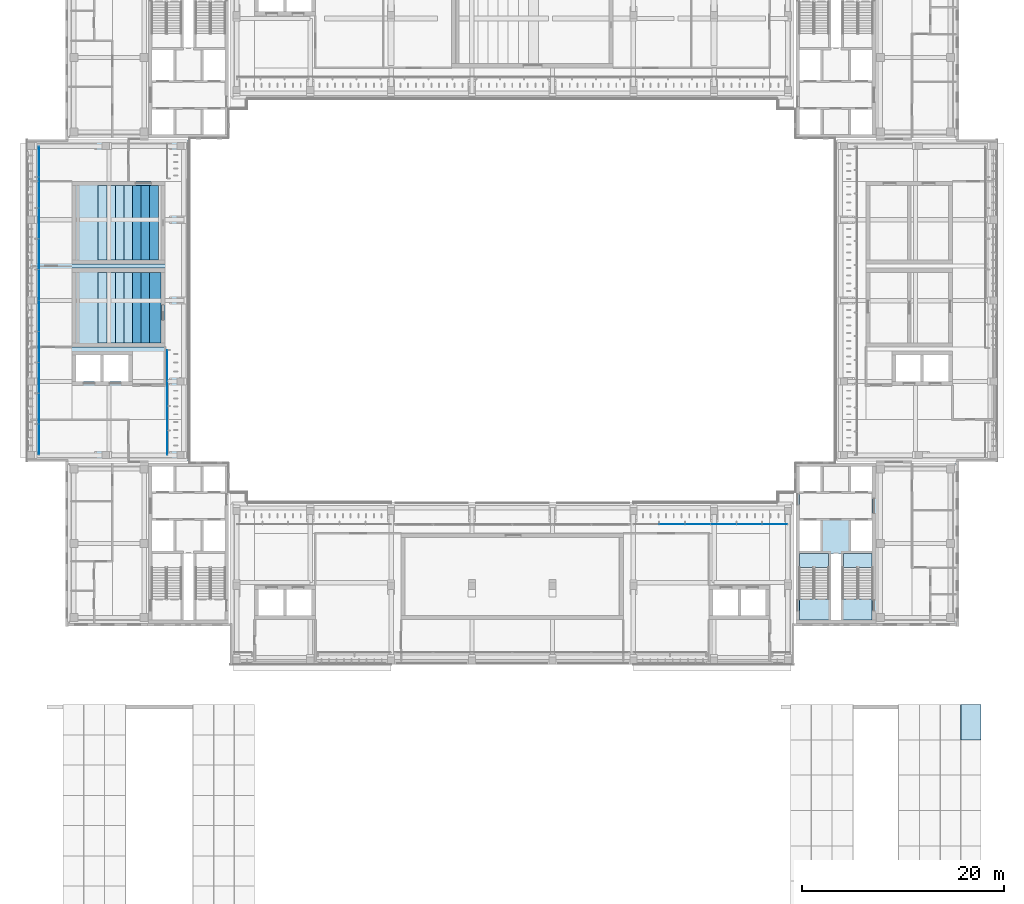
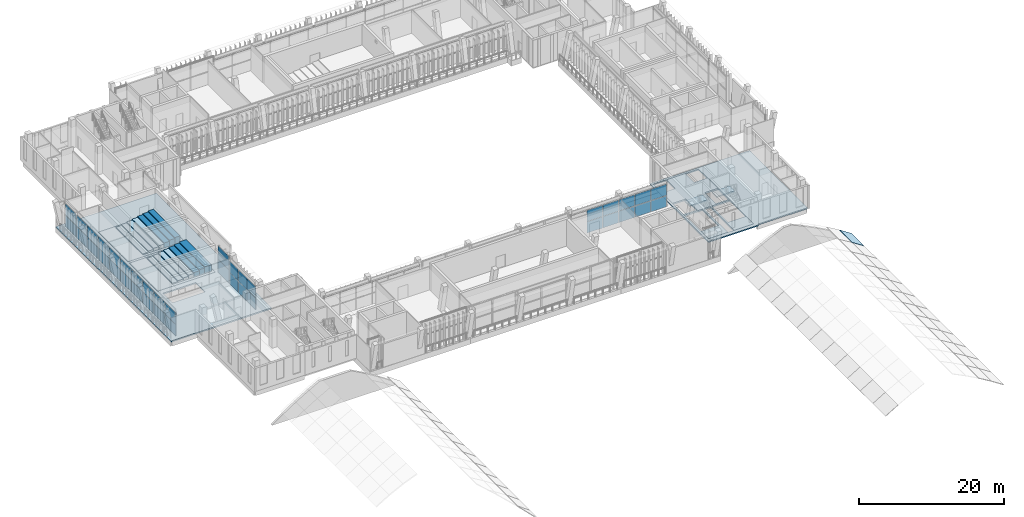
# One storey, part 38 of 74: 38 plates, 22 slabs, 6 elements without a shape of their own.
"""IFC4 building model written with IfcOpenShell, lengths in metres."""

from ifc_helpers import new_model, si_unit, direction, frame, origin, origin_2d, place, context, subcontext, project, spatial, polyline, rectangle, outline, extrude, material, layer, layer_set, type_object, element, aggregate, save


model = new_model("IFC4")

# Units and contexts
model_context = context("Model", 3, precision=1e-05, world=origin(), true_north=direction((0.0, 1.0)))
body_context = subcontext(model_context, "Body", "Model", "MODEL_VIEW")
ifc_project = project(units=[si_unit("LENGTHUNIT", "METRE"), si_unit("AREAUNIT", "SQUARE_METRE"), si_unit("VOLUMEUNIT", "CUBIC_METRE"), si_unit("PLANEANGLEUNIT", "RADIAN"), si_unit("MASSUNIT", "GRAM", prefix="KILO")], contexts=[model_context])

# Site, building, storey
site_placement = place(None, origin())
site = spatial("IfcSite", under=ifc_project, at=site_placement, CompositionType="ELEMENT")
building_placement = place(site_placement, origin())
building = spatial("IfcBuilding", under=site, at=building_placement, Name="Lantern Court Media Centre", CompositionType="ELEMENT")
storey_placement = place(building_placement, frame((0.0, 0.0, 19.199951171875)))
storey = spatial("IfcBuildingStorey", under=building, at=storey_placement, Name="L04", CompositionType="ELEMENT", Elevation=19.199951171875)

# Slab
ifc_material_1 = material(Name="Concrete C40", Category="concrete")
ifc_layer_1 = layer(ifc_material_1, 0.25)
ifc_layer_set_1 = layer_set([ifc_layer_1], Name="Concrete C40")
slab_type_1 = type_object("IfcSlabType", Name="Core floor slab 250", PredefinedType="FLOOR", material=ifc_layer_set_1)
slab_1_placement = place(storey_placement, frame((0.0, 0.0, -0.25)))
element("IfcSlab", 1, at=slab_1_placement, inside=storey, type_object=slab_type_1, Name="L04 SE core floor", PredefinedType="FLOOR", context=body_context, shape_type="SweptSolid", body=[
    extrude(outline(polyline([(87.64990234375, 55.199951171875), (87.64990234375, 54.94970703125), (84.80029296875, 54.94970703125), (84.80029296875, 50.450439453125), (87.64990234375, 50.450439453125), (87.64990234375, 48.35009765625), (84.550048828125, 48.35009765625), (84.550048828125, 54.949951171875), (83.550048828125, 54.949951171875), (83.550048828125, 48.35009765625), (80.449951171875, 48.35009765625), (80.449951171875, 50.450439453125), (83.299560546875, 50.450439453125), (83.299560546875, 54.94970703125), (80.449951171875, 54.94970703125), (80.449951171875, 55.199951171875), (82.550048828125, 55.199951171875), (82.550048828125, 58.199951171875), (80.449951171875, 58.199951171875), (80.449951171875, 61.10009765625), (82.550048828125, 61.10009765625), (82.550048828125, 63.550048828125), (85.550048828125, 63.550048828125), (85.550048828125, 61.10009765625), (87.64990234375, 61.10009765625), (87.64990234375, 58.199951171875), (85.550048828125, 58.199951171875), (85.550048828125, 55.199951171875), (87.64990234375, 55.199951171875)])), origin(), (0.0, 0.0, 1.0), 0.25),
])

# Curtain wall, plates
ifc_material_2 = material(Name="Curtain wall bay 2400")
curtain_wall_type_1 = type_object("IfcCurtainWallType", Name="Curtain wall bay 2400", PredefinedType="NOTDEFINED", material=ifc_material_2)
curtain_wall_1_placement = place(storey_placement, origin())
curtain_wall_1 = element("IfcCurtainWall", 2, at=curtain_wall_1_placement, inside=storey, type_object=curtain_wall_type_1, Name="Curtain wall S inner L04", PredefinedType="NOTDEFINED")
ifc_material_3 = material(Name="Low-iron double glazed unit glass", Category="glass")
ifc_layer_2 = layer(ifc_material_3, 0.02392578125)
ifc_layer_set_2 = layer_set([ifc_layer_2], Name="Low-iron double glazed unit glass")
plate_type_1 = type_object("IfcPlateType", Name="Curtain wall glazing unit 24", PredefinedType="CURTAIN_PANEL", material=ifc_layer_set_2)
plate_1_placement = place(storey_placement, frame((67.824951171875, 57.85009765625, 0.050048828125), z_axis=(0.0, 0.0, 1.0), x_axis=(1.0, 0.0, 0.0)))
plate_1 = element("IfcPlate", 3, at=plate_1_placement, type_object=plate_type_1, Name="CW2 panel 2.1", PredefinedType="CURTAIN_PANEL", context=body_context, shape_type="SweptSolid", body=[
    extrude(rectangle(XDim=2.5, YDim=0.02392578125, at=origin_2d()), origin(), (0.0, 0.0, 1.0), 1.89990234375),
])
plate_2_placement = place(storey_placement, frame((67.824951171875, 57.85009765625, 2.0), z_axis=(0.0, 0.0, 1.0), x_axis=(1.0, 0.0, 0.0)))
plate_2 = element("IfcPlate", 4, at=plate_2_placement, type_object=plate_type_1, Name="CW2 panel 2.2", PredefinedType="CURTAIN_PANEL", context=body_context, shape_type="SweptSolid", body=[
    extrude(rectangle(XDim=2.5, YDim=0.02392578125, at=origin_2d()), origin(), (0.0, 0.0, 1.0), 1.89990234375),
])
plate_3_placement = place(storey_placement, frame((70.375, 57.85009765625, 0.050048828125), z_axis=(0.0, 0.0, 1.0), x_axis=(1.0, 0.0, 0.0)))
plate_3 = element("IfcPlate", 5, at=plate_3_placement, type_object=plate_type_1, Name="CW2 panel 3.1", PredefinedType="CURTAIN_PANEL", context=body_context, shape_type="SweptSolid", body=[
    extrude(rectangle(XDim=2.5, YDim=0.02392578125, at=origin_2d()), origin(), (0.0, 0.0, 1.0), 1.89990234375),
])
plate_4_placement = place(storey_placement, frame((70.375, 57.85009765625, 2.0), z_axis=(0.0, 0.0, 1.0), x_axis=(1.0, 0.0, 0.0)))
plate_4 = element("IfcPlate", 6, at=plate_4_placement, type_object=plate_type_1, Name="CW2 panel 3.2", PredefinedType="CURTAIN_PANEL", context=body_context, shape_type="SweptSolid", body=[
    extrude(rectangle(XDim=2.5, YDim=0.02392578125, at=origin_2d()), origin(), (0.0, 0.0, 1.0), 1.89990234375),
])
plate_5_placement = place(storey_placement, frame((72.925048828125, 57.85009765625, 0.050048828125), z_axis=(0.0, 0.0, 1.0), x_axis=(1.0, 0.0, 0.0)))
plate_5 = element("IfcPlate", 7, at=plate_5_placement, type_object=plate_type_1, Name="CW2 panel 4.1", PredefinedType="CURTAIN_PANEL", context=body_context, shape_type="SweptSolid", body=[
    extrude(rectangle(XDim=2.5, YDim=0.02392578125, at=origin_2d()), origin(), (0.0, 0.0, 1.0), 1.89990234375),
])
plate_6_placement = place(storey_placement, frame((72.925048828125, 57.85009765625, 2.0), z_axis=(0.0, 0.0, 1.0), x_axis=(1.0, 0.0, 0.0)))
plate_6 = element("IfcPlate", 8, at=plate_6_placement, type_object=plate_type_1, Name="CW2 panel 4.2", PredefinedType="CURTAIN_PANEL", context=body_context, shape_type="SweptSolid", body=[
    extrude(rectangle(XDim=2.5, YDim=0.02392578125, at=origin_2d()), origin(), (0.0, 0.0, 1.0), 1.89990234375),
])
plate_7_placement = place(storey_placement, frame((75.47509765625, 57.85009765625, 0.050048828125), z_axis=(0.0, 0.0, 1.0), x_axis=(1.0, 0.0, 0.0)))
plate_7 = element("IfcPlate", 9, at=plate_7_placement, type_object=plate_type_1, Name="CW2 panel 5.1", PredefinedType="CURTAIN_PANEL", context=body_context, shape_type="SweptSolid", body=[
    extrude(rectangle(XDim=2.5, YDim=0.02392578125, at=origin_2d()), origin(), (0.0, 0.0, 1.0), 1.89990234375),
])
plate_8_placement = place(storey_placement, frame((75.47509765625, 57.85009765625, 2.0), z_axis=(0.0, 0.0, 1.0), x_axis=(1.0, 0.0, 0.0)))
plate_8 = element("IfcPlate", 10, at=plate_8_placement, type_object=plate_type_1, Name="CW2 panel 5.2", PredefinedType="CURTAIN_PANEL", context=body_context, shape_type="SweptSolid", body=[
    extrude(rectangle(XDim=2.5, YDim=0.02392578125, at=origin_2d()), origin(), (0.0, 0.0, 1.0), 1.89990234375),
])
plate_9_placement = place(storey_placement, frame((78.012451171875, 57.85009765625, 0.050048828125), z_axis=(0.0, 0.0, 1.0), x_axis=(1.0, 0.0, 0.0)))
plate_9 = element("IfcPlate", 11, at=plate_9_placement, type_object=plate_type_1, Name="CW2 panel 6.1", PredefinedType="CURTAIN_PANEL", context=body_context, shape_type="SweptSolid", body=[
    extrude(rectangle(XDim=2.47509765625, YDim=0.02392578125, at=origin_2d()), origin(), (0.0, 0.0, 1.0), 1.89990234375),
])
plate_10_placement = place(storey_placement, frame((78.012451171875, 57.85009765625, 2.0), z_axis=(0.0, 0.0, 1.0), x_axis=(1.0, 0.0, 0.0)))
plate_10 = element("IfcPlate", 12, at=plate_10_placement, type_object=plate_type_1, Name="CW2 panel 6.2", PredefinedType="CURTAIN_PANEL", context=body_context, shape_type="SweptSolid", body=[
    extrude(rectangle(XDim=2.47509765625, YDim=0.02392578125, at=origin_2d()), origin(), (0.0, 0.0, 1.0), 1.89990234375),
])
aggregate(curtain_wall_1, [plate_1, plate_2, plate_3, plate_4, plate_5, plate_6, plate_7, plate_8, plate_9, plate_10])

curtain_wall_2_placement = place(storey_placement, origin())
curtain_wall_2 = element("IfcCurtainWall", 13, at=curtain_wall_2_placement, inside=storey, type_object=curtain_wall_type_1, Name="Curtain wall W inner L04", PredefinedType="NOTDEFINED")
plate_11_placement = place(storey_placement, frame((17.85009765625, 65.92919921875, 0.050048828125), z_axis=(0.0, 0.0, 1.0), x_axis=(0.0, 1.0, 0.0)))
plate_11 = element("IfcPlate", 14, at=plate_11_placement, type_object=plate_type_1, Name="CW2 panel 1.1", PredefinedType="CURTAIN_PANEL", context=body_context, shape_type="SweptSolid", body=[
    extrude(rectangle(XDim=2.3583984375, YDim=0.02392578125, at=origin_2d()), origin(), (0.0, 0.0, 1.0), 1.89990234375),
])
plate_12_placement = place(storey_placement, frame((17.85009765625, 65.92919921875, 2.0), z_axis=(0.0, 0.0, 1.0), x_axis=(0.0, 1.0, 0.0)))
plate_12 = element("IfcPlate", 15, at=plate_12_placement, type_object=plate_type_1, Name="CW2 panel 1.2", PredefinedType="CURTAIN_PANEL", context=body_context, shape_type="SweptSolid", body=[
    extrude(rectangle(XDim=2.3583984375, YDim=0.02392578125, at=origin_2d()), origin(), (0.0, 0.0, 1.0), 1.89990234375),
])
plate_13_placement = place(storey_placement, frame((17.85009765625, 68.35009765625, 0.050048828125), z_axis=(0.0, 0.0, 1.0), x_axis=(0.0, 1.0, 0.0)))
plate_13 = element("IfcPlate", 16, at=plate_13_placement, type_object=plate_type_1, Name="CW2 panel 2.1", PredefinedType="CURTAIN_PANEL", context=body_context, shape_type="SweptSolid", body=[
    extrude(rectangle(XDim=2.38330078125, YDim=0.02392578125, at=origin_2d()), origin(), (0.0, 0.0, 1.0), 1.89990234375),
])
plate_14_placement = place(storey_placement, frame((17.85009765625, 68.35009765625, 2.0), z_axis=(0.0, 0.0, 1.0), x_axis=(0.0, 1.0, 0.0)))
plate_14 = element("IfcPlate", 17, at=plate_14_placement, type_object=plate_type_1, Name="CW2 panel 2.2", PredefinedType="CURTAIN_PANEL", context=body_context, shape_type="SweptSolid", body=[
    extrude(rectangle(XDim=2.38330078125, YDim=0.02392578125, at=origin_2d()), origin(), (0.0, 0.0, 1.0), 1.89990234375),
])
plate_15_placement = place(storey_placement, frame((17.85009765625, 70.770751953125, 0.050048828125), z_axis=(0.0, 0.0, 1.0), x_axis=(0.0, 1.0, 0.0)))
plate_15 = element("IfcPlate", 18, at=plate_15_placement, type_object=plate_type_1, Name="CW2 panel 3.1", PredefinedType="CURTAIN_PANEL", context=body_context, shape_type="SweptSolid", body=[
    extrude(rectangle(XDim=2.3583984375, YDim=0.02392578125, at=origin_2d()), origin(), (0.0, 0.0, 1.0), 1.89990234375),
])
plate_16_placement = place(storey_placement, frame((17.85009765625, 70.770751953125, 2.0), z_axis=(0.0, 0.0, 1.0), x_axis=(0.0, 1.0, 0.0)))
plate_16 = element("IfcPlate", 19, at=plate_16_placement, type_object=plate_type_1, Name="CW2 panel 3.2", PredefinedType="CURTAIN_PANEL", context=body_context, shape_type="SweptSolid", body=[
    extrude(rectangle(XDim=2.3583984375, YDim=0.02392578125, at=origin_2d()), origin(), (0.0, 0.0, 1.0), 1.89990234375),
])
aggregate(curtain_wall_2, [plate_11, plate_12, plate_13, plate_14, plate_15, plate_16])

curtain_wall_3_placement = place(storey_placement, origin())
curtain_wall_3 = element("IfcCurtainWall", 20, at=curtain_wall_3_placement, inside=storey, type_object=curtain_wall_type_1, Name="Curtain wall W inner L04", PredefinedType="NOTDEFINED")
plate_17_placement = place(storey_placement, frame((17.85009765625, 73.574951171875, 0.0498046875), z_axis=(0.0, 0.0, 1.0), x_axis=(0.0, 1.0, 0.0)))
plate_17 = element("IfcPlate", 21, at=plate_17_placement, type_object=plate_type_1, Name="CW2 panel 1.1", PredefinedType="CURTAIN_PANEL", context=body_context, shape_type="SweptSolid", body=[
    extrude(rectangle(XDim=3.050048828125, YDim=0.02392578125, at=origin_2d()), origin(), (0.0, 0.0, 1.0), 2.215087890625),
])
plate_18_placement = place(storey_placement, frame((17.85009765625, 73.574951171875, 2.31494140625), z_axis=(0.0, 0.0, 1.0), x_axis=(0.0, 1.0, 0.0)))
plate_18 = element("IfcPlate", 22, at=plate_18_placement, type_object=plate_type_1, Name="CW2 panel 1.2", PredefinedType="CURTAIN_PANEL", context=body_context, shape_type="SweptSolid", body=[
    extrude(rectangle(XDim=3.050048828125, YDim=0.02392578125, at=origin_2d()), origin(), (0.0, 0.0, 1.0), 2.215087890625),
])
aggregate(curtain_wall_3, [plate_17, plate_18])

ifc_material_4 = material(Name="Curtain wall bay 3000")
curtain_wall_type_2 = type_object("IfcCurtainWallType", Name="Curtain wall bay 3000", PredefinedType="NOTDEFINED", material=ifc_material_4)
curtain_wall_4_placement = place(storey_placement, origin())
curtain_wall_4 = element("IfcCurtainWall", 23, at=curtain_wall_4_placement, inside=storey, type_object=curtain_wall_type_2, Name="Curtain wall W outer L04", PredefinedType="NOTDEFINED")
ifc_layer_3 = layer(ifc_material_3, 0.028076171875)
ifc_layer_set_3 = layer_set([ifc_layer_3], Name="Low-iron double glazed unit glass")
plate_type_2 = type_object("IfcPlateType", Name="Curtain wall glazing unit 28", PredefinedType="CURTAIN_PANEL", material=ifc_layer_set_3)
plate_19_placement = place(storey_placement, frame((5.14990234375, 66.2451171875, 0.06005859375), z_axis=(0.0, 0.0, 1.0), x_axis=(0.0, 1.0, 0.0)))
plate_19 = element("IfcPlate", 24, at=plate_19_placement, type_object=plate_type_2, Name="CW1 panel 1.1", PredefinedType="CURTAIN_PANEL", context=body_context, shape_type="SweptSolid", body=[
    extrude(rectangle(XDim=2.969970703125, YDim=0.028076171875, at=origin_2d()), origin(), (0.0, 0.0, 1.0), 1.885009765625),
])
plate_20_placement = place(storey_placement, frame((5.14990234375, 66.2451171875, 2.0048828125), z_axis=(0.0, 0.0, 1.0), x_axis=(0.0, 1.0, 0.0)))
plate_20 = element("IfcPlate", 25, at=plate_20_placement, type_object=plate_type_2, Name="CW1 panel 1.2", PredefinedType="CURTAIN_PANEL", context=body_context, shape_type="SweptSolid", body=[
    extrude(rectangle(XDim=2.969970703125, YDim=0.028076171875, at=origin_2d()), origin(), (0.0, 0.0, 1.0), 1.885009765625),
])
plate_21_placement = place(storey_placement, frame((5.14990234375, 69.2900390625, 0.06005859375), z_axis=(0.0, 0.0, 1.0), x_axis=(0.0, 1.0, 0.0)))
plate_21 = element("IfcPlate", 26, at=plate_21_placement, type_object=plate_type_2, Name="CW1 panel 2.1", PredefinedType="CURTAIN_PANEL", context=body_context, shape_type="SweptSolid", body=[
    extrude(rectangle(XDim=3.0, YDim=0.028076171875, at=origin_2d()), origin(), (0.0, 0.0, 1.0), 1.885009765625),
])
plate_22_placement = place(storey_placement, frame((5.14990234375, 69.2900390625, 2.0048828125), z_axis=(0.0, 0.0, 1.0), x_axis=(0.0, 1.0, 0.0)))
plate_22 = element("IfcPlate", 27, at=plate_22_placement, type_object=plate_type_2, Name="CW1 panel 2.2", PredefinedType="CURTAIN_PANEL", context=body_context, shape_type="SweptSolid", body=[
    extrude(rectangle(XDim=3.0, YDim=0.028076171875, at=origin_2d()), origin(), (0.0, 0.0, 1.0), 1.885009765625),
])
plate_23_placement = place(storey_placement, frame((5.14990234375, 72.35009765625, 0.06005859375), z_axis=(0.0, 0.0, 1.0), x_axis=(0.0, 1.0, 0.0)))
plate_23 = element("IfcPlate", 28, at=plate_23_placement, type_object=plate_type_2, Name="CW1 panel 3.1", PredefinedType="CURTAIN_PANEL", context=body_context, shape_type="SweptSolid", body=[
    extrude(rectangle(XDim=3.0, YDim=0.028076171875, at=origin_2d()), origin(), (0.0, 0.0, 1.0), 1.885009765625),
])
plate_24_placement = place(storey_placement, frame((5.14990234375, 72.35009765625, 2.0048828125), z_axis=(0.0, 0.0, 1.0), x_axis=(0.0, 1.0, 0.0)))
plate_24 = element("IfcPlate", 29, at=plate_24_placement, type_object=plate_type_2, Name="CW1 panel 3.2", PredefinedType="CURTAIN_PANEL", context=body_context, shape_type="SweptSolid", body=[
    extrude(rectangle(XDim=3.0, YDim=0.028076171875, at=origin_2d()), origin(), (0.0, 0.0, 1.0), 1.885009765625),
])
plate_25_placement = place(storey_placement, frame((5.14990234375, 75.409912109375, 0.06005859375), z_axis=(0.0, 0.0, 1.0), x_axis=(0.0, 1.0, 0.0)))
plate_25 = element("IfcPlate", 30, at=plate_25_placement, type_object=plate_type_2, Name="CW1 panel 4.1", PredefinedType="CURTAIN_PANEL", context=body_context, shape_type="SweptSolid", body=[
    extrude(rectangle(XDim=3.0, YDim=0.028076171875, at=origin_2d()), origin(), (0.0, 0.0, 1.0), 1.885009765625),
])
plate_26_placement = place(storey_placement, frame((5.14990234375, 75.409912109375, 2.0048828125), z_axis=(0.0, 0.0, 1.0), x_axis=(0.0, 1.0, 0.0)))
plate_26 = element("IfcPlate", 31, at=plate_26_placement, type_object=plate_type_2, Name="CW1 panel 4.2", PredefinedType="CURTAIN_PANEL", context=body_context, shape_type="SweptSolid", body=[
    extrude(rectangle(XDim=3.0, YDim=0.028076171875, at=origin_2d()), origin(), (0.0, 0.0, 1.0), 1.885009765625),
])
plate_27_placement = place(storey_placement, frame((5.14990234375, 78.469970703125, 0.06005859375), z_axis=(0.0, 0.0, 1.0), x_axis=(0.0, 1.0, 0.0)))
plate_27 = element("IfcPlate", 32, at=plate_27_placement, type_object=plate_type_2, Name="CW1 panel 5.1", PredefinedType="CURTAIN_PANEL", context=body_context, shape_type="SweptSolid", body=[
    extrude(rectangle(XDim=3.0, YDim=0.028076171875, at=origin_2d()), origin(), (0.0, 0.0, 1.0), 1.885009765625),
])
plate_28_placement = place(storey_placement, frame((5.14990234375, 78.469970703125, 2.0048828125), z_axis=(0.0, 0.0, 1.0), x_axis=(0.0, 1.0, 0.0)))
plate_28 = element("IfcPlate", 33, at=plate_28_placement, type_object=plate_type_2, Name="CW1 panel 5.2", PredefinedType="CURTAIN_PANEL", context=body_context, shape_type="SweptSolid", body=[
    extrude(rectangle(XDim=3.0, YDim=0.028076171875, at=origin_2d()), origin(), (0.0, 0.0, 1.0), 1.885009765625),
])
plate_29_placement = place(storey_placement, frame((5.14990234375, 81.530029296875, 0.06005859375), z_axis=(0.0, 0.0, 1.0), x_axis=(0.0, 1.0, 0.0)))
plate_29 = element("IfcPlate", 34, at=plate_29_placement, type_object=plate_type_2, Name="CW1 panel 6.1", PredefinedType="CURTAIN_PANEL", context=body_context, shape_type="SweptSolid", body=[
    extrude(rectangle(XDim=3.0, YDim=0.028076171875, at=origin_2d()), origin(), (0.0, 0.0, 1.0), 1.885009765625),
])
plate_30_placement = place(storey_placement, frame((5.14990234375, 81.530029296875, 2.0048828125), z_axis=(0.0, 0.0, 1.0), x_axis=(0.0, 1.0, 0.0)))
plate_30 = element("IfcPlate", 35, at=plate_30_placement, type_object=plate_type_2, Name="CW1 panel 6.2", PredefinedType="CURTAIN_PANEL", context=body_context, shape_type="SweptSolid", body=[
    extrude(rectangle(XDim=3.0, YDim=0.028076171875, at=origin_2d()), origin(), (0.0, 0.0, 1.0), 1.885009765625),
])
plate_31_placement = place(storey_placement, frame((5.14990234375, 84.590087890625, 0.06005859375), z_axis=(0.0, 0.0, 1.0), x_axis=(0.0, 1.0, 0.0)))
plate_31 = element("IfcPlate", 36, at=plate_31_placement, type_object=plate_type_2, Name="CW1 panel 7.1", PredefinedType="CURTAIN_PANEL", context=body_context, shape_type="SweptSolid", body=[
    extrude(rectangle(XDim=3.0, YDim=0.028076171875, at=origin_2d()), origin(), (0.0, 0.0, 1.0), 1.885009765625),
])
plate_32_placement = place(storey_placement, frame((5.14990234375, 84.590087890625, 2.0048828125), z_axis=(0.0, 0.0, 1.0), x_axis=(0.0, 1.0, 0.0)))
plate_32 = element("IfcPlate", 37, at=plate_32_placement, type_object=plate_type_2, Name="CW1 panel 7.2", PredefinedType="CURTAIN_PANEL", context=body_context, shape_type="SweptSolid", body=[
    extrude(rectangle(XDim=3.0, YDim=0.028076171875, at=origin_2d()), origin(), (0.0, 0.0, 1.0), 1.885009765625),
])
plate_33_placement = place(storey_placement, frame((5.14990234375, 87.64990234375, 0.06005859375), z_axis=(0.0, 0.0, 1.0), x_axis=(0.0, 1.0, 0.0)))
plate_33 = element("IfcPlate", 38, at=plate_33_placement, type_object=plate_type_2, Name="CW1 panel 8.1", PredefinedType="CURTAIN_PANEL", context=body_context, shape_type="SweptSolid", body=[
    extrude(rectangle(XDim=3.0, YDim=0.028076171875, at=origin_2d()), origin(), (0.0, 0.0, 1.0), 1.885009765625),
])
plate_34_placement = place(storey_placement, frame((5.14990234375, 87.64990234375, 2.0048828125), z_axis=(0.0, 0.0, 1.0), x_axis=(0.0, 1.0, 0.0)))
plate_34 = element("IfcPlate", 39, at=plate_34_placement, type_object=plate_type_2, Name="CW1 panel 8.2", PredefinedType="CURTAIN_PANEL", context=body_context, shape_type="SweptSolid", body=[
    extrude(rectangle(XDim=3.0, YDim=0.028076171875, at=origin_2d()), origin(), (0.0, 0.0, 1.0), 1.885009765625),
])
plate_35_placement = place(storey_placement, frame((5.14990234375, 90.7099609375, 0.06005859375), z_axis=(0.0, 0.0, 1.0), x_axis=(0.0, 1.0, 0.0)))
plate_35 = element("IfcPlate", 40, at=plate_35_placement, type_object=plate_type_2, Name="CW1 panel 9.1", PredefinedType="CURTAIN_PANEL", context=body_context, shape_type="SweptSolid", body=[
    extrude(rectangle(XDim=3.0, YDim=0.028076171875, at=origin_2d()), origin(), (0.0, 0.0, 1.0), 1.885009765625),
])
plate_36_placement = place(storey_placement, frame((5.14990234375, 90.7099609375, 2.0048828125), z_axis=(0.0, 0.0, 1.0), x_axis=(0.0, 1.0, 0.0)))
plate_36 = element("IfcPlate", 41, at=plate_36_placement, type_object=plate_type_2, Name="CW1 panel 9.2", PredefinedType="CURTAIN_PANEL", context=body_context, shape_type="SweptSolid", body=[
    extrude(rectangle(XDim=3.0, YDim=0.028076171875, at=origin_2d()), origin(), (0.0, 0.0, 1.0), 1.885009765625),
])
plate_37_placement = place(storey_placement, frame((5.14990234375, 93.7548828125, 0.06005859375), z_axis=(0.0, 0.0, 1.0), x_axis=(0.0, 1.0, 0.0)))
plate_37 = element("IfcPlate", 42, at=plate_37_placement, type_object=plate_type_2, Name="CW1 panel 10.1", PredefinedType="CURTAIN_PANEL", context=body_context, shape_type="SweptSolid", body=[
    extrude(rectangle(XDim=2.969970703125, YDim=0.028076171875, at=origin_2d()), origin(), (0.0, 0.0, 1.0), 1.885009765625),
])
plate_38_placement = place(storey_placement, frame((5.14990234375, 93.7548828125, 2.0048828125), z_axis=(0.0, 0.0, 1.0), x_axis=(0.0, 1.0, 0.0)))
plate_38 = element("IfcPlate", 43, at=plate_38_placement, type_object=plate_type_2, Name="CW1 panel 10.2", PredefinedType="CURTAIN_PANEL", context=body_context, shape_type="SweptSolid", body=[
    extrude(rectangle(XDim=2.969970703125, YDim=0.028076171875, at=origin_2d()), origin(), (0.0, 0.0, 1.0), 1.885009765625),
])
aggregate(curtain_wall_4, [plate_19, plate_20, plate_21, plate_22, plate_23, plate_24, plate_25, plate_26, plate_27, plate_28, plate_29, plate_30, plate_31, plate_32, plate_33, plate_34, plate_35, plate_36, plate_37, plate_38])

# Slabs
ifc_material_5 = material(Name="Zinc standing seam on insulation")
ifc_layer_4 = layer(ifc_material_5, 0.10009765625)
ifc_layer_set_4 = layer_set([ifc_layer_4], Name="Zinc standing seam on insulation")
slab_type_2 = type_object("IfcSlabType", Name="Hall roof panel, standing seam 100", PredefinedType="ROOF", material=ifc_layer_set_4)
slab_2_placement = place(storey_placement, frame((96.452392578125, 36.5, 0.985107421875), z_axis=(0.546639605859, 0.0, 0.837367984405), x_axis=(0.837367984405, 0.0, -0.546639605859)))
element("IfcSlab", 44, at=slab_2_placement, inside=storey, type_object=slab_type_2, Name="Studio Hall roof panel", PredefinedType="ROOF", context=body_context, shape_type="SweptSolid", body=[
    extrude(outline(polyline([(0.0, 0.0), (2.3630707197757923, 0.0), (2.3630707197757923, 3.4999999999999996), (0.0, 3.4999999999999996), (0.0, 0.0)])), origin(), (0.0, 0.0, -1.0), 0.10009765625),
])
ifc_material_6 = material(Name="Concrete C35", Category="concrete")
ifc_layer_5 = layer(ifc_material_6, 0.199951171875)
ifc_layer_set_5 = layer_set([ifc_layer_5], Name="Concrete C35")
slab_type_3 = type_object("IfcSlabType", Name="RC FLOOR SLAB 200", PredefinedType="FLOOR", material=ifc_layer_set_5)
slab_3_placement = place(storey_placement, frame((0.0, 0.0, -0.199951171875)))
element("IfcSlab", 45, at=slab_3_placement, inside=storey, type_object=slab_type_3, Name="SL-SE-L04", PredefinedType="FLOOR", context=body_context, shape_type="SweptSolid", body=[
    extrude(outline(polyline([(80.10009765625, 63.89990234375), (96.0, 63.89990234375), (96.0, 48.0), (88.10009765625, 48.0), (88.10009765625, 47.780029296875), (80.10009765625, 47.780029296875), (80.10009765625, 48.0), (80.10009765625, 63.89990234375)]), holes=[polyline([(80.449951171875, 63.550048828125), (80.449951171875, 48.35009765625), (87.64990234375, 48.35009765625), (87.64990234375, 63.550048828125), (80.449951171875, 63.550048828125)])]), origin(), (0.0, 0.0, 1.0), 0.199951171875),
])
ifc_layer_6 = layer(ifc_material_6, 0.219970703125)
ifc_layer_set_6 = layer_set([ifc_layer_6], Name="Concrete C35")
slab_type_4 = type_object("IfcSlabType", Name="RC FLOOR SLAB 220", PredefinedType="FLOOR", material=ifc_layer_set_6)
slab_4_placement = place(storey_placement, frame((0.0, 0.0, -0.219970703125)))
element("IfcSlab", 46, at=slab_4_placement, inside=storey, type_object=slab_type_4, Name="SL-W-L04", PredefinedType="FLOOR", context=body_context, shape_type="SweptSolid", body=[
    extrude(outline(polyline([(8.39990234375, 64.10009765625), (4.0, 64.10009765625), (4.0, 95.89990234375), (8.39990234375, 95.89990234375), (17.60009765625, 95.89990234375), (20.0, 95.89990234375), (20.0, 64.10009765625), (17.60009765625, 64.10009765625), (8.39990234375, 64.10009765625)]), holes=[polyline([(8.39990234375, 83.60009765625), (17.60009765625, 83.60009765625), (17.60009765625, 91.800048828125), (8.39990234375, 91.800048828125), (8.39990234375, 83.60009765625)]), polyline([(8.39990234375, 75.39990234375), (17.60009765625, 75.39990234375), (17.60009765625, 83.199951171875), (8.39990234375, 83.199951171875), (8.39990234375, 75.39990234375)]), polyline([(14.0, 74.60009765625), (8.800048828125, 74.60009765625), (8.800048828125, 72.0), (14.0, 72.0), (14.0, 74.60009765625)])]), origin(), (0.0, 0.0, 1.0), 0.219970703125),
])
ifc_layer_7 = layer(ifc_material_6, 0.419921875)
ifc_layer_set_7 = layer_set([ifc_layer_7], Name="Concrete C35")
slab_type_5 = type_object("IfcSlabType", Name="RC FLOOR SLAB 420", PredefinedType="FLOOR", material=ifc_layer_set_7)
slab_5_placement = place(storey_placement, frame((0.0, 0.0, -0.419921875)))
element("IfcSlab", 47, at=slab_5_placement, inside=storey, type_object=slab_type_5, Name="SL-W-L04-D1", PredefinedType="FLOOR", context=body_context, shape_type="SweptSolid", body=[
    extrude(outline(polyline([(17.60009765625, 75.39990234375), (17.60009765625, 83.199951171875), (8.39990234375, 83.199951171875), (8.39990234375, 75.39990234375), (17.60009765625, 75.39990234375)])), origin(), (0.0, 0.0, 1.0), 0.419921875),
])
slab_6_placement = place(storey_placement, frame((0.0, 0.0, -0.419921875)))
element("IfcSlab", 48, at=slab_6_placement, inside=storey, type_object=slab_type_5, Name="SL-W-L04-D2", PredefinedType="FLOOR", context=body_context, shape_type="SweptSolid", body=[
    extrude(outline(polyline([(17.60009765625, 83.60009765625), (17.60009765625, 91.800048828125), (8.39990234375, 91.800048828125), (8.39990234375, 83.60009765625), (17.60009765625, 83.60009765625)])), origin(), (0.0, 0.0, 1.0), 0.419921875),
])
ifc_layer_8 = layer(ifc_material_6, 0.14990234375)
ifc_layer_set_8 = layer_set([ifc_layer_8], Name="Concrete C35")
slab_type_6 = type_object("IfcSlabType", Name="Seating tier", PredefinedType="USERDEFINED", material=ifc_layer_set_8)
slab_7_placement = place(storey_placement, origin())
element("IfcSlab", 49, at=slab_7_placement, inside=storey, type_object=slab_type_6, Name="Screen 7 tier 1", ObjectType="SEATING TIER", PredefinedType="USERDEFINED", context=body_context, shape_type="SweptSolid", body=[
    extrude(outline(polyline([(11.0, 75.800048828125), (11.85009765625, 75.800048828125), (11.85009765625, 82.800048828125), (11.0, 82.800048828125), (11.0, 75.800048828125)])), origin(), (0.0, 0.0, 1.0), 0.16015625),
])
slab_8_placement = place(storey_placement, origin())
element("IfcSlab", 50, at=slab_8_placement, inside=storey, type_object=slab_type_6, Name="Screen 7 tier 2", ObjectType="SEATING TIER", PredefinedType="USERDEFINED", context=body_context, shape_type="SweptSolid", body=[
    extrude(outline(polyline([(11.85009765625, 75.800048828125), (12.699951171875, 75.800048828125), (12.699951171875, 82.800048828125), (11.85009765625, 82.800048828125), (11.85009765625, 75.800048828125)])), origin(), (0.0, 0.0, 1.0), 0.320068359375),
])
slab_9_placement = place(storey_placement, origin())
element("IfcSlab", 51, at=slab_9_placement, inside=storey, type_object=slab_type_6, Name="Screen 7 tier 3", ObjectType="SEATING TIER", PredefinedType="USERDEFINED", context=body_context, shape_type="SweptSolid", body=[
    extrude(outline(polyline([(12.699951171875, 75.800048828125), (13.550048828125, 75.800048828125), (13.550048828125, 82.800048828125), (12.699951171875, 82.800048828125), (12.699951171875, 75.800048828125)])), origin(), (0.0, 0.0, 1.0), 0.47998046875),
])
slab_10_placement = place(storey_placement, origin())
element("IfcSlab", 52, at=slab_10_placement, inside=storey, type_object=slab_type_6, Name="Screen 7 tier 4", ObjectType="SEATING TIER", PredefinedType="USERDEFINED", context=body_context, shape_type="SweptSolid", body=[
    extrude(outline(polyline([(13.550048828125, 75.800048828125), (14.39990234375, 75.800048828125), (14.39990234375, 82.800048828125), (13.550048828125, 82.800048828125), (13.550048828125, 75.800048828125)])), origin(), (0.0, 0.0, 1.0), 0.64013671875),
])
slab_11_placement = place(storey_placement, origin())
element("IfcSlab", 53, at=slab_11_placement, inside=storey, type_object=slab_type_6, Name="Screen 7 tier 5", ObjectType="SEATING TIER", PredefinedType="USERDEFINED", context=body_context, shape_type="SweptSolid", body=[
    extrude(outline(polyline([(14.39990234375, 75.800048828125), (15.25, 75.800048828125), (15.25, 82.800048828125), (14.39990234375, 82.800048828125), (14.39990234375, 75.800048828125)])), origin(), (0.0, 0.0, 1.0), 0.800048828125),
])
slab_12_placement = place(storey_placement, origin())
element("IfcSlab", 54, at=slab_12_placement, inside=storey, type_object=slab_type_6, Name="Screen 7 tier 6", ObjectType="SEATING TIER", PredefinedType="USERDEFINED", context=body_context, shape_type="SweptSolid", body=[
    extrude(outline(polyline([(15.25, 75.800048828125), (16.10009765625, 75.800048828125), (16.10009765625, 82.800048828125), (15.25, 82.800048828125), (15.25, 75.800048828125)])), origin(), (0.0, 0.0, 1.0), 0.9599609375),
])
slab_13_placement = place(storey_placement, origin())
element("IfcSlab", 55, at=slab_13_placement, inside=storey, type_object=slab_type_6, Name="Screen 7 tier 7", ObjectType="SEATING TIER", PredefinedType="USERDEFINED", context=body_context, shape_type="SweptSolid", body=[
    extrude(outline(polyline([(16.10009765625, 75.800048828125), (17.199951171875, 75.800048828125), (17.199951171875, 82.800048828125), (16.10009765625, 82.800048828125), (16.10009765625, 75.800048828125)])), origin(), (0.0, 0.0, 1.0), 1.1201171875),
])
slab_14_placement = place(storey_placement, origin())
element("IfcSlab", 56, at=slab_14_placement, inside=storey, type_object=slab_type_6, Name="Screen 8 tier 1", ObjectType="SEATING TIER", PredefinedType="USERDEFINED", context=body_context, shape_type="SweptSolid", body=[
    extrude(outline(polyline([(11.0, 84.0), (11.85009765625, 84.0), (11.85009765625, 91.39990234375), (11.0, 91.39990234375), (11.0, 84.0)])), origin(), (0.0, 0.0, 1.0), 0.16015625),
])
slab_15_placement = place(storey_placement, origin())
element("IfcSlab", 57, at=slab_15_placement, inside=storey, type_object=slab_type_6, Name="Screen 8 tier 2", ObjectType="SEATING TIER", PredefinedType="USERDEFINED", context=body_context, shape_type="SweptSolid", body=[
    extrude(outline(polyline([(11.85009765625, 84.0), (12.699951171875, 84.0), (12.699951171875, 91.39990234375), (11.85009765625, 91.39990234375), (11.85009765625, 84.0)])), origin(), (0.0, 0.0, 1.0), 0.320068359375),
])
slab_16_placement = place(storey_placement, origin())
element("IfcSlab", 58, at=slab_16_placement, inside=storey, type_object=slab_type_6, Name="Screen 8 tier 3", ObjectType="SEATING TIER", PredefinedType="USERDEFINED", context=body_context, shape_type="SweptSolid", body=[
    extrude(outline(polyline([(12.699951171875, 84.0), (13.550048828125, 84.0), (13.550048828125, 91.39990234375), (12.699951171875, 91.39990234375), (12.699951171875, 84.0)])), origin(), (0.0, 0.0, 1.0), 0.47998046875),
])
slab_17_placement = place(storey_placement, origin())
element("IfcSlab", 59, at=slab_17_placement, inside=storey, type_object=slab_type_6, Name="Screen 8 tier 4", ObjectType="SEATING TIER", PredefinedType="USERDEFINED", context=body_context, shape_type="SweptSolid", body=[
    extrude(outline(polyline([(13.550048828125, 84.0), (14.39990234375, 84.0), (14.39990234375, 91.39990234375), (13.550048828125, 91.39990234375), (13.550048828125, 84.0)])), origin(), (0.0, 0.0, 1.0), 0.64013671875),
])
slab_18_placement = place(storey_placement, origin())
element("IfcSlab", 60, at=slab_18_placement, inside=storey, type_object=slab_type_6, Name="Screen 8 tier 5", ObjectType="SEATING TIER", PredefinedType="USERDEFINED", context=body_context, shape_type="SweptSolid", body=[
    extrude(outline(polyline([(14.39990234375, 84.0), (15.25, 84.0), (15.25, 91.39990234375), (14.39990234375, 91.39990234375), (14.39990234375, 84.0)])), origin(), (0.0, 0.0, 1.0), 0.800048828125),
])
slab_19_placement = place(storey_placement, origin())
element("IfcSlab", 61, at=slab_19_placement, inside=storey, type_object=slab_type_6, Name="Screen 8 tier 6", ObjectType="SEATING TIER", PredefinedType="USERDEFINED", context=body_context, shape_type="SweptSolid", body=[
    extrude(outline(polyline([(15.25, 84.0), (16.10009765625, 84.0), (16.10009765625, 91.39990234375), (15.25, 91.39990234375), (15.25, 84.0)])), origin(), (0.0, 0.0, 1.0), 0.9599609375),
])
slab_20_placement = place(storey_placement, origin())
element("IfcSlab", 62, at=slab_20_placement, inside=storey, type_object=slab_type_6, Name="Screen 8 tier 7", ObjectType="SEATING TIER", PredefinedType="USERDEFINED", context=body_context, shape_type="SweptSolid", body=[
    extrude(outline(polyline([(16.10009765625, 84.0), (16.949951171875, 84.0), (16.949951171875, 91.39990234375), (16.10009765625, 91.39990234375), (16.10009765625, 84.0)])), origin(), (0.0, 0.0, 1.0), 1.1201171875),
])

# Stair, slab
stair_type = type_object("IfcStairType", Name="Exit stair 1350", PredefinedType="HALF_TURN_STAIR", material=ifc_material_1)
stair_1_placement = place(storey_placement, origin())
stair_1 = element("IfcStair", 63, at=stair_1_placement, inside=storey, type_object=stair_type, Name="L04 SE exit stair A", PredefinedType="HALF_TURN_STAIR")
ifc_layer_9 = layer(ifc_material_1, 0.199951171875)
ifc_layer_set_9 = layer_set([ifc_layer_9], Name="Concrete C40")
slab_type_7 = type_object("IfcSlabType", Name="Stair landing RC 200", PredefinedType="LANDING", material=ifc_layer_set_9)
slab_21_placement = place(storey_placement, frame((0.0, 0.0, 2.199951171875)))
slab_21 = element("IfcSlab", 64, at=slab_21_placement, type_object=slab_type_7, Name="ST-SEA landing 1", PredefinedType="LANDING", context=body_context, shape_type="SweptSolid", body=[
    extrude(outline(polyline([(87.64990234375, 53.570068359375), (87.64990234375, 54.949951171875), (84.800048828125, 54.949951171875), (84.800048828125, 53.570068359375), (87.64990234375, 53.570068359375)])), origin(), (0.0, 0.0, 1.0), 0.2001953125),
])
aggregate(stair_1, [slab_21])

stair_2_placement = place(storey_placement, origin())
stair_2 = element("IfcStair", 65, at=stair_2_placement, inside=storey, type_object=stair_type, Name="L04 SE exit stair B", PredefinedType="HALF_TURN_STAIR")
slab_22_placement = place(storey_placement, frame((0.0, 0.0, 2.199951171875)))
slab_22 = element("IfcSlab", 66, at=slab_22_placement, type_object=slab_type_7, Name="ST-SEB landing 1", PredefinedType="LANDING", context=body_context, shape_type="SweptSolid", body=[
    extrude(outline(polyline([(83.300048828125, 53.570068359375), (83.300048828125, 54.949951171875), (80.449951171875, 54.949951171875), (80.449951171875, 53.570068359375), (83.300048828125, 53.570068359375)])), origin(), (0.0, 0.0, 1.0), 0.2001953125),
])
aggregate(stair_2, [slab_22])

save(model, "model.ifc")
